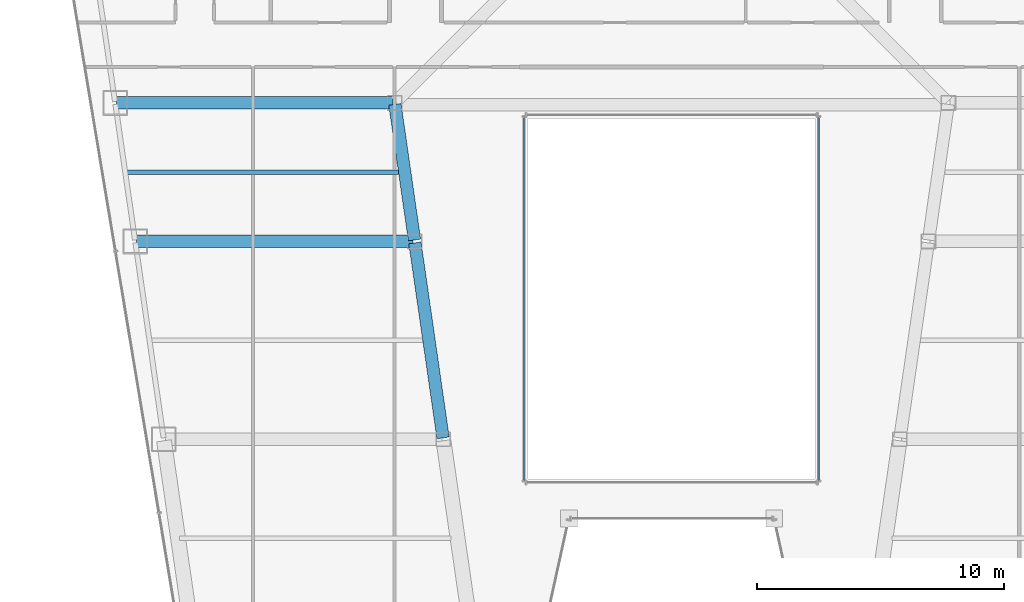
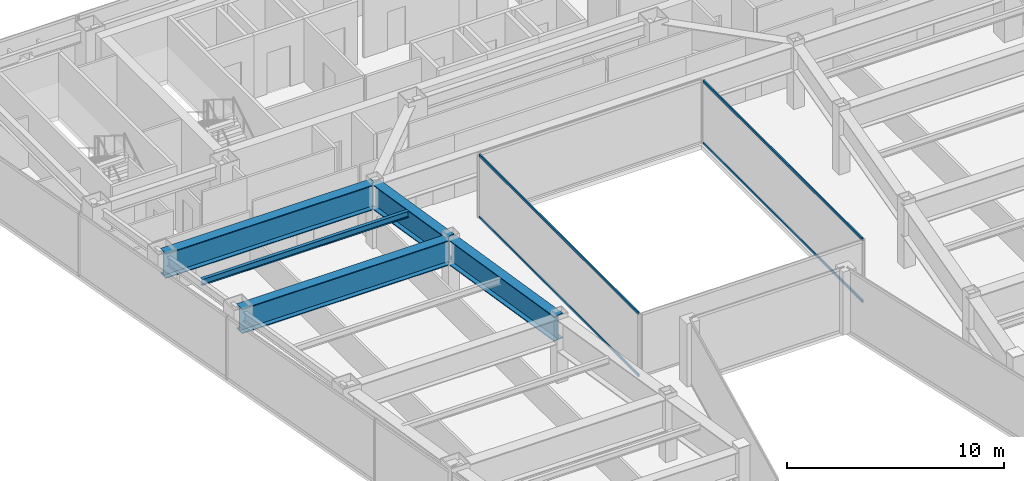
# One storey, part 10 of 37: 5 beams, 4 members, 2 elements without a shape of their own.
"""IFC4 building model written with IfcOpenShell, lengths in metres."""

from ifc_helpers import new_model, si_unit, direction, frame, origin, origin_2d, place, context, subcontext, project, spatial, hollow_rectangle, i_section, extrude, material, material_profile, profile_set, type_object, element, aggregate, save


model = new_model("IFC4")

# Units and contexts
model_context = context("Model", 3, precision=1e-05, world=origin(), true_north=direction((0.0, 1.0)))
body_context = subcontext(model_context, "Body", "Model", "MODEL_VIEW")
ifc_project = project(units=[si_unit("LENGTHUNIT", "METRE"), si_unit("AREAUNIT", "SQUARE_METRE"), si_unit("VOLUMEUNIT", "CUBIC_METRE"), si_unit("PLANEANGLEUNIT", "RADIAN"), si_unit("MASSUNIT", "GRAM", prefix="KILO")], contexts=[model_context])

# Site, building, storey
site_placement = place(None, origin())
site = spatial("IfcSite", under=ifc_project, at=site_placement, CompositionType="ELEMENT")
building_placement = place(site_placement, origin())
building = spatial("IfcBuilding", under=site, at=building_placement, Name="Saevonmaru Cultural Tower", CompositionType="ELEMENT")
storey_placement = place(building_placement, frame((0.0, 0.0, 163.800048828125)))
storey = spatial("IfcBuildingStorey", under=building, at=storey_placement, Name="L36", CompositionType="ELEMENT", Elevation=163.800048828125)

# Beams
ifc_material_1 = material(Name="Steel SM355", Category="steel")
ifc_material_profile_1 = material_profile(ifc_material_1, i_section(OverallWidth=0.175048828125, OverallDepth=0.35009765625, WebThickness=0.007080078125, FlangeThickness=0.010986328125, FilletRadius=0.012939453125, at=origin_2d()), Name="H-350x175x7x11")
ifc_profile_set_1 = profile_set([ifc_material_profile_1], Name="Steel SM355")
beam_type_1 = type_object("IfcBeamType", Name="BM-J-H350", PredefinedType="JOIST", material=ifc_profile_set_1)
beam_1_placement = place(storey_placement, frame((7.972412109375, 34.800048828125, 3.375), z_axis=(1.0, 0.0, 0.0), x_axis=(0.0, 1.0, 0.0)))
element("IfcBeam", 1, at=beam_1_placement, inside=storey, type_object=beam_type_1, Name="L36 West Wing Floor Joist 4", PredefinedType="JOIST", context=body_context, shape_type="SweptSolid", body=[
    extrude(i_section(OverallWidth=0.175048828125, OverallDepth=0.35009765625, WebThickness=0.007080078125, FlangeThickness=0.010986328125, FilletRadius=0.012939453125, at=origin_2d()), origin(), (0.0, 0.0, 1.0), 10.982177734375),
])
ifc_material_2 = material(Name="Steel HSA600 (600 MPa)", Category="steel")
ifc_material_profile_2 = material_profile(ifc_material_2, i_section(OverallWidth=0.5, OverallDepth=1.39990234375, WebThickness=0.02392578125, FlangeThickness=0.044921875, at=origin_2d()), Name="PG-1400x500x24x45")
ifc_profile_set_2 = profile_set([ifc_material_profile_2], Name="Steel HSA600 (600 MPa)")
beam_type_2 = type_object("IfcBeamType", Name="BM-TG-PG1400", PredefinedType="BEAM", material=ifc_profile_set_2)
beam_2_placement = place(storey_placement, frame((20.763427734375, 24.059326171875, 2.849853515625), z_axis=(-0.142902032203, 0.989736838353, 0.0), x_axis=(-0.989736838353, -0.142902032203, 0.0)))
element("IfcBeam", 2, at=beam_2_placement, inside=storey, type_object=beam_type_2, Name="L36 West Atrium Girder 3", PredefinedType="BEAM", context=body_context, shape_type="SweptSolid", body=[
    extrude(i_section(OverallWidth=0.5, OverallDepth=1.39990234375, WebThickness=0.02392578125, FlangeThickness=0.044921875, at=origin_2d()), origin(), (0.0, 0.0, 1.0), 7.963134765625),
])
beam_3_placement = place(storey_placement, frame((19.6083984375, 32.059326171875, 2.849853515625), z_axis=(-0.142964121327, 0.989727871697, 0.0), x_axis=(-0.989727871697, -0.142964121327, 0.0)))
element("IfcBeam", 3, at=beam_3_placement, inside=storey, type_object=beam_type_2, Name="L36 West Atrium Girder 4", PredefinedType="BEAM", context=body_context, shape_type="SweptSolid", body=[
    extrude(i_section(OverallWidth=0.5, OverallDepth=1.39990234375, WebThickness=0.02392578125, FlangeThickness=0.044921875, at=origin_2d()), origin(), (0.0, 0.0, 1.0), 5.5380859375),
])
for number, where, z_axis, x_axis, name in (
    (4, (8.376953125, 32.0, 2.849853515625), (1.0, 0.0, 0.0), (0.0, 1.0, 0.0), "L36 West Wing Transverse Girder 4"),
    (5, (7.568115234375, 37.60009765625, 2.849853515625), (1.0, 0.0, 0.0), (0.0, 1.0, 0.0), "L36 West Wing Transverse Girder 5"),
):
    element("IfcBeam", number, at=place(storey_placement, frame(where, z_axis=z_axis, x_axis=x_axis)), inside=storey, type_object=beam_type_2, Name=name, PredefinedType="BEAM", context=body_context, shape_type="SweptSolid", body=[
        extrude(i_section(OverallWidth=0.5, OverallDepth=1.39990234375, WebThickness=0.02392578125, FlangeThickness=0.044921875, at=origin_2d()), origin(), (0.0, 0.0, 1.0), 11.179931640625),
    ])

# Curtain wall, members
ifc_material_3 = material(Name="Satin Bronze Anodised Aluminium", Category="aluminium")
curtain_wall_type = type_object("IfcCurtainWallType", Name="CW-ATR-GLZ", PredefinedType="NOTDEFINED", material=ifc_material_3)
curtain_wall_1_placement = place(storey_placement, origin())
curtain_wall_1 = element("IfcCurtainWall", 6, at=curtain_wall_1_placement, inside=storey, type_object=curtain_wall_type, Name="L36 Vertical Atrium Glazed Smoke Screen 2", PredefinedType="NOTDEFINED")
ifc_material_profile_3 = material_profile(ifc_material_3, hollow_rectangle(XDim=0.06494140625, YDim=0.14990234375, WallThickness=0.00390625, at=origin_2d()), Name="ALU-TRAN-150x65x4")
ifc_profile_set_3 = profile_set([ifc_material_profile_3], Name="Satin Bronze Anodised Aluminium")
member_type = type_object("IfcMemberType", Name="TR-CW-INT-150x65", PredefinedType="USERDEFINED", material=ifc_profile_set_3)
member_1_placement = place(storey_placement, frame((35.949951171875, 22.342529296875, 0.032470703125), z_axis=(0.0, 1.0, 0.0), x_axis=(-1.0, 0.0, 0.0)))
member_1 = element("IfcMember", 7, at=member_1_placement, type_object=member_type, Name="CW-ATR-L36-2 transom 1.1", ObjectType="TRANSOM", PredefinedType="USERDEFINED", context=body_context, shape_type="SweptSolid", body=[
    extrude(hollow_rectangle(XDim=0.06494140625, YDim=0.14990234375, WallThickness=0.00390625, at=origin_2d()), origin(), (0.0, 0.0, 1.0), 14.675048828125),
])
member_2_placement = place(storey_placement, frame((35.949951171875, 22.342529296875, 3.517333984375), z_axis=(0.0, 1.0, 0.0), x_axis=(-1.0, 0.0, 0.0)))
member_2 = element("IfcMember", 8, at=member_2_placement, type_object=member_type, Name="CW-ATR-L36-2 transom 1.2", ObjectType="TRANSOM", PredefinedType="USERDEFINED", context=body_context, shape_type="SweptSolid", body=[
    extrude(hollow_rectangle(XDim=0.06494140625, YDim=0.14990234375, WallThickness=0.00390625, at=origin_2d()), origin(), (0.0, 0.0, 1.0), 14.675048828125),
])
aggregate(curtain_wall_1, [member_1, member_2])

curtain_wall_2_placement = place(storey_placement, origin())
curtain_wall_2 = element("IfcCurtainWall", 9, at=curtain_wall_2_placement, inside=storey, type_object=curtain_wall_type, Name="L36 Vertical Atrium Glazed Smoke Screen 4", PredefinedType="NOTDEFINED")
member_3_placement = place(storey_placement, frame((24.050048828125, 37.017578125, 0.032470703125), z_axis=(0.0, -1.0, 0.0), x_axis=(1.0, 0.0, 0.0)))
member_3 = element("IfcMember", 10, at=member_3_placement, type_object=member_type, Name="CW-ATR-L36-4 transom 1.1", ObjectType="TRANSOM", PredefinedType="USERDEFINED", context=body_context, shape_type="SweptSolid", body=[
    extrude(hollow_rectangle(XDim=0.06494140625, YDim=0.14990234375, WallThickness=0.00390625, at=origin_2d()), origin(), (0.0, 0.0, 1.0), 14.675048828125),
])
member_4_placement = place(storey_placement, frame((24.050048828125, 37.017578125, 3.517333984375), z_axis=(0.0, -1.0, 0.0), x_axis=(1.0, 0.0, 0.0)))
member_4 = element("IfcMember", 11, at=member_4_placement, type_object=member_type, Name="CW-ATR-L36-4 transom 1.2", ObjectType="TRANSOM", PredefinedType="USERDEFINED", context=body_context, shape_type="SweptSolid", body=[
    extrude(hollow_rectangle(XDim=0.06494140625, YDim=0.14990234375, WallThickness=0.00390625, at=origin_2d()), origin(), (0.0, 0.0, 1.0), 14.675048828125),
])
aggregate(curtain_wall_2, [member_3, member_4])

save(model, "model.ifc")
